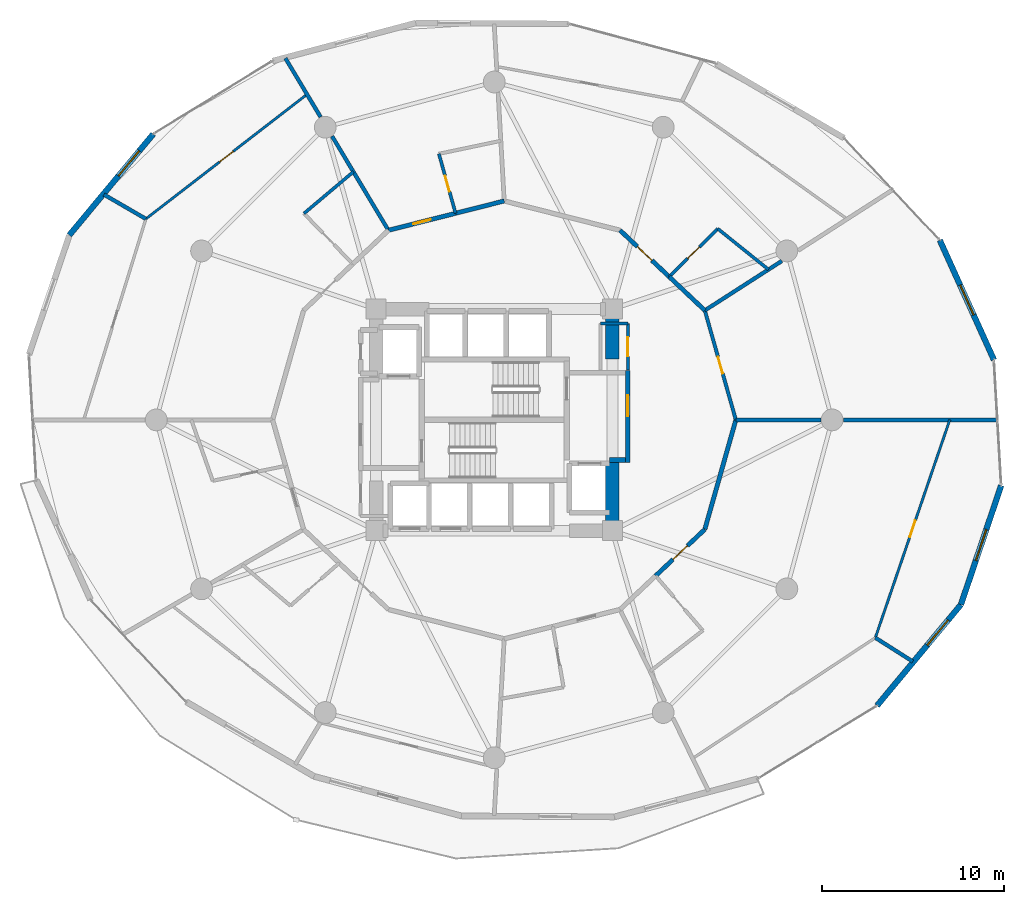
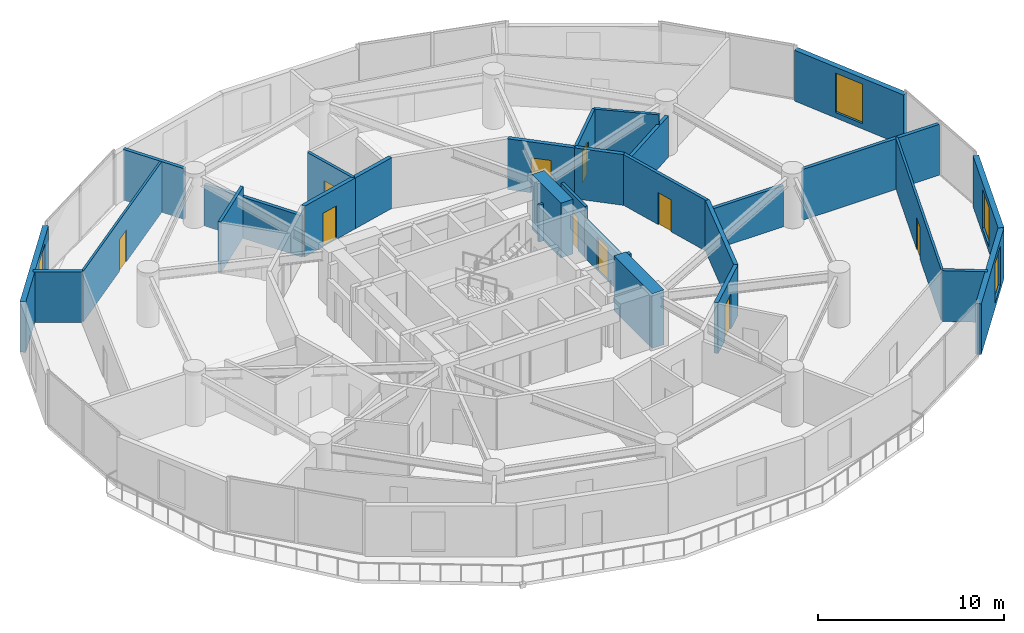
# One storey, part 19 of 23: 30 walls, 10 doors, 4 windows, 14 openings.
"""IFC4 building model written with IfcOpenShell, lengths in metres."""

import ifcopenshell
import ifcopenshell.guid

model = None  # the IFC model being written
_history = None  # IfcOwnerHistory: only IFC2X3 demands one
_inside = {}  # id of a spatial element -> (the spatial element, [elements in it])
_under = {}  # id of a project, library or spatial element -> (it, [spatial elements below it])
_declared = {}  # id of a project -> (the project, [libraries it declares])
_typed = {}  # id of a type object -> (the type object, [elements of that type])
_made_of = {}  # id of a material, layer set ... -> (it, [elements and type objects made of it])


def new_model(schema):
    """Start an empty IFC model of exactly this schema.

    Asked for "IFC4X3", IfcOpenShell would pick the latest addendum, in which some entities
    have other attributes; the version numbers below select the first issue.
    IFC2X3 requires an IfcOwnerHistory on every rooted entity: one is made here for all.
    """
    global model, _history
    if schema == "IFC4X3":
        model = ifcopenshell.file(schema_version=(4, 3, 0, 0))
    else:
        model = ifcopenshell.file(schema=schema)
    _inside.clear()
    _under.clear()
    _declared.clear()
    _typed.clear()
    _made_of.clear()
    _history = None
    if model.schema == "IFC2X3":
        org = make("IfcOrganization", Name="unknown")
        user = make(
            "IfcPersonAndOrganization",
            ThePerson=make("IfcPerson", FamilyName="unknown"),
            TheOrganization=org,
        )
        app = make(
            "IfcApplication",
            ApplicationDeveloper=org,
            Version="unknown",
            ApplicationFullName="unknown",
            ApplicationIdentifier="unknown",
        )
        _history = make(
            "IfcOwnerHistory",
            OwningUser=user,
            OwningApplication=app,
            ChangeAction="ADDED",
            CreationDate=0,
        )
    return model


def make(cls, **values):
    """One entity of the class cls with the attributes given. An attribute that is None is left unset."""
    return model.create_entity(
        cls, **{name: value for name, value in values.items() if value is not None}
    )


def rooted(cls, **values):
    """An entity with a GlobalId (a new one), such as an element, a storey or a relation."""
    return make(cls, GlobalId=ifcopenshell.guid.new(), OwnerHistory=_history, **values)


def si_unit(unit_type, name, prefix=None):
    """IfcSIUnit, for example si_unit("LENGTHUNIT", "METRE", prefix="MILLI")."""
    return make("IfcSIUnit", UnitType=unit_type, Prefix=prefix, Name=name)


def assignment(units):
    """IfcUnitAssignment: the units of a project."""
    return None if units is None else make("IfcUnitAssignment", Units=units)


def point(xyz):
    """IfcCartesianPoint."""
    return None if xyz is None else make("IfcCartesianPoint", Coordinates=xyz)


def direction(xyz):
    """IfcDirection."""
    return None if xyz is None else make("IfcDirection", DirectionRatios=xyz)


def frame(location, z_axis=None, x_axis=None):
    """IfcAxis2Placement3D, a coordinate frame: its origin and axes. An axis left out is left unset."""
    return make(
        "IfcAxis2Placement3D",
        Location=point(location),
        Axis=direction(z_axis),
        RefDirection=direction(x_axis),
    )


def frame_2d(location, x_axis=None):
    """IfcAxis2Placement2D, a coordinate frame in the plane: its origin and x axis."""
    return make(
        "IfcAxis2Placement2D", Location=point(location), RefDirection=direction(x_axis)
    )


def origin():
    """The frame at (0, 0, 0) with its axes left unset."""
    return frame((0.0, 0.0, 0.0))


def place(relative_to, where):
    """IfcLocalPlacement: puts the frame where relative to a parent placement (None: the world)."""
    return make(
        "IfcLocalPlacement", PlacementRelTo=relative_to, RelativePlacement=where
    )


def context(
    kind, dimensions, precision=None, world=None, true_north=None, identifier=None
):
    """IfcGeometricRepresentationContext, for example the 3D "Model" context."""
    return make(
        "IfcGeometricRepresentationContext",
        ContextIdentifier=identifier,
        ContextType=kind,
        CoordinateSpaceDimension=dimensions,
        Precision=precision,
        WorldCoordinateSystem=world,
        TrueNorth=true_north,
    )


def subcontext(parent, identifier, kind, view, scale=None):
    """IfcGeometricRepresentationSubContext, for example "Body" below "Model"."""
    return make(
        "IfcGeometricRepresentationSubContext",
        ContextIdentifier=identifier,
        ContextType=kind,
        ParentContext=parent,
        TargetScale=scale,
        TargetView=view,
    )


def project(units=None, contexts=None):
    """IfcProject with its units and contexts."""
    return rooted(
        "IfcProject",
        Name="project",
        RepresentationContexts=contexts,
        UnitsInContext=assignment(units),
    )


def spatial(cls, under=None, at=None, **own):
    """A site, building, storey or space (cls), placed at a placement, below another one or the project."""
    s = rooted(cls, ObjectPlacement=at, **own)
    if under is not None:
        _under.setdefault(under.id(), (under, []))[1].append(s)
    return s


def profile(cls, at=None, kind="AREA", **sizes):
    """A parametric profile (cls). Its sizes go by their IFC names, for example OverallWidth=200.0."""
    return make(cls, ProfileType=kind, Position=at, **sizes)


def rectangle(**sizes):
    """IfcRectangleProfileDef."""
    return profile("IfcRectangleProfileDef", **sizes)


def extrude(swept, where, along, depth):
    """IfcExtrudedAreaSolid: the profile swept, set in the frame where, extruded along a direction by depth."""
    return make(
        "IfcExtrudedAreaSolid",
        SweptArea=swept,
        Position=where,
        ExtrudedDirection=direction(along),
        Depth=depth,
    )


def shape(context_of_items, identifier, shape_type, items):
    """IfcShapeRepresentation: the items that make up one representation, for example the "Body"."""
    return make(
        "IfcShapeRepresentation",
        ContextOfItems=context_of_items,
        RepresentationIdentifier=identifier,
        RepresentationType=shape_type,
        Items=items,
    )


def material(Name=None, Category=None):
    """IfcMaterial."""
    return make("IfcMaterial", Name=Name, Category=Category)


def layer(
    of_material, thickness, ventilated=None, Name=None, Category=None, Priority=None
):
    """IfcMaterialLayer: one layer of a wall or slab, of a material (None: an air gap)."""
    return make(
        "IfcMaterialLayer",
        Material=of_material,
        LayerThickness=thickness,
        IsVentilated=ventilated,
        Name=Name,
        Category=Category,
        Priority=Priority,
    )


def layer_set(layers, Name=None):
    """IfcMaterialLayerSet."""
    return make("IfcMaterialLayerSet", MaterialLayers=layers, LayerSetName=Name)


def made_of(thing, what):
    """Note that an element or type object is made of a material, layer set ...; save() writes the relation."""
    if what is not None:
        _made_of.setdefault(what.id(), (what, []))[1].append(thing)
    return thing


def type_object(cls, material=None, **own):
    """A type object (cls), such as IfcWallType, which elements share."""
    return made_of(rooted(cls, **own), material)


def element(
    cls,
    number,
    at=None,
    inside=None,
    cuts=None,
    type_object=None,
    material=None,
    context=None,
    identifier="Body",
    shape_type=None,
    held_by="IfcProductDefinitionShape",
    body=None,
    shapes=None,
    **own,
):
    """One element of the class cls, such as IfcWall. Its Tag is "e" and its number.

    at: its placement. inside: the storey or other place that contains it. cuts: it is an
    opening in that element (IfcRelVoidsElement). A single representation is given by context,
    identifier, shape_type and body (its items); several are given by shapes. held_by: the class
    of the entity that holds the representations. save() writes the other relations.
    """
    e = rooted(cls, Tag="e%d" % number, ObjectPlacement=at, **own)
    if body is not None:
        shapes = [shape(context, identifier, shape_type, body)]
    if shapes is not None:
        e.Representation = make(held_by, Representations=shapes)
    if inside is not None:
        _inside.setdefault(inside.id(), (inside, []))[1].append(e)
    if cuts is not None:
        rooted(
            "IfcRelVoidsElement", RelatingBuildingElement=cuts, RelatedOpeningElement=e
        )
    if type_object is not None:
        _typed.setdefault(type_object.id(), (type_object, []))[1].append(e)
    return made_of(e, material)


def fill(opening, filler):
    """IfcRelFillsElement: the door or window that sits in an opening."""
    return rooted(
        "IfcRelFillsElement",
        RelatingOpeningElement=opening,
        RelatedBuildingElement=filler,
    )


def aggregate(whole, parts):
    """IfcRelAggregates: a whole, such as a stair, and the parts it consists of."""
    return rooted("IfcRelAggregates", RelatingObject=whole, RelatedObjects=parts)


def save(model, path):
    """Write the relations noted so far, then the file.

    IfcRelAggregates (storeys below a building ...), IfcRelContainedInSpatialStructure (elements
    in a storey), IfcRelDefinesByType, IfcRelAssociatesMaterial and IfcRelDeclares: one each for
    every whole, place, type object, material and project.
    """
    for whole, parts in _under.values():
        aggregate(whole, parts)
    for where, things in _inside.values():
        rooted(
            "IfcRelContainedInSpatialStructure",
            RelatedElements=things,
            RelatingStructure=where,
        )
    for kind, things in _typed.values():
        rooted("IfcRelDefinesByType", RelatedObjects=things, RelatingType=kind)
    for what, things in _made_of.values():
        rooted("IfcRelAssociatesMaterial", RelatedObjects=things, RelatingMaterial=what)
    for by, libraries in _declared.values():
        rooted("IfcRelDeclares", RelatingContext=by, RelatedDefinitions=libraries)
    model.write(path)


model = new_model("IFC4")

# Units and contexts
model_context = context("Model", 3, precision=1e-05, world=origin(), true_north=direction((0.0, 1.0)))
body_context = subcontext(model_context, "Body", "Model", "MODEL_VIEW")
ifc_project = project(units=[si_unit("LENGTHUNIT", "METRE"), si_unit("AREAUNIT", "SQUARE_METRE"), si_unit("VOLUMEUNIT", "CUBIC_METRE"), si_unit("PLANEANGLEUNIT", "RADIAN"), si_unit("MASSUNIT", "GRAM", prefix="KILO")], contexts=[model_context])

# Site, building, storey
site_placement = place(None, origin())
site = spatial("IfcSite", under=ifc_project, at=site_placement, CompositionType="ELEMENT")
building_placement = place(site_placement, origin())
building = spatial("IfcBuilding", under=site, at=building_placement, Name="Solvirekh Grand Hotel", CompositionType="ELEMENT")
storey_placement = place(building_placement, frame((0.0, 0.0, 39.199951171875)))
storey = spatial("IfcBuildingStorey", under=building, at=storey_placement, Name="L08", CompositionType="ELEMENT", Elevation=39.199951171875)

# Walls
ifc_material_1 = material(Name="Concrete C60/75", Category="concrete")
ifc_layer_1 = layer(ifc_material_1, 0.75)
ifc_layer_set_1 = layer_set([ifc_layer_1], Name="Concrete C60/75")
wall_type_1 = type_object("IfcWallType", Name="CoreWall_RC750", PredefinedType="SHEAR", material=ifc_layer_set_1)
wall_1_placement = place(storey_placement, frame((6.5, -6.47509765625, 0.0), z_axis=(0.0, 0.0, 1.0), x_axis=(0.0, 1.0, 0.0)))
element("IfcWall", 1, at=wall_1_placement, inside=storey, type_object=wall_type_1, Name="L08 core corner shear wall ES-E", PredefinedType="SHEAR", context=body_context, shape_type="SweptSolid", body=[
    extrude(rectangle(XDim=4.125, YDim=0.75, at=frame_2d((2.0625, 0.0))), origin(), (0.0, 0.0, 1.0), 3.60009765625),
])
wall_2_placement = place(storey_placement, frame((6.5, 3.35009765625, 0.0), z_axis=(0.0, 0.0, 1.0), x_axis=(0.0, 1.0, 0.0)))
element("IfcWall", 2, at=wall_2_placement, inside=storey, type_object=wall_type_1, Name="L08 core corner shear wall EN-E", PredefinedType="SHEAR", context=body_context, shape_type="SweptSolid", body=[
    extrude(rectangle(XDim=3.125, YDim=0.75, at=frame_2d((1.5625, 0.0))), origin(), (0.0, 0.0, 1.0), 3.60009765625),
])

# Wall, opening, window
ifc_material_2 = material(Name="Precast concrete C45/55", Category="concrete")
ifc_layer_2 = layer(ifc_material_2, 0.320068359375)
ifc_layer_set_2 = layer_set([ifc_layer_2], Name="Precast concrete C45/55")
wall_type_2 = type_object("IfcWallType", Name="ExtLobbyWall_RC320", PredefinedType="SOLIDWALL", material=ifc_layer_set_2)
wall_3_placement = place(storey_placement, frame((24.52587890625, 9.89599609375, 0.0), z_axis=(0.0, 0.0, 1.0), x_axis=(0.412164534208, -0.911109431814, 0.0)))
wall_3 = element("IfcWall", 3, at=wall_3_placement, inside=storey, type_object=wall_type_2, Name="L08 exterior structural wall chord 2", PredefinedType="SOLIDWALL", context=body_context, shape_type="SweptSolid", body=[
    extrude(rectangle(XDim=7.233154296875, YDim=0.320068359375, at=frame_2d((3.61669921875, 0.0))), origin(), (0.0, 0.0, 1.0), 3.340087890625),
])
opening_1_placement = place(wall_3_placement, frame((2.716064453125, 0.0, 0.35009765625)))
opening_1 = element("IfcOpeningElement", 4, at=opening_1_placement, cuts=wall_3, Name="Opening W02", PredefinedType="OPENING", context=body_context, shape_type="SweptSolid", body=[
    extrude(rectangle(XDim=1.800048828125, YDim=2.60009765625, at=frame_2d((0.89990234375, 1.300048828125))), frame((0.0, 0.169921875, 0.0), z_axis=(0.0, -1.0, 0.0), x_axis=(1.0, 0.0, 0.0)), (0.0, 0.0, 1.0), 0.340087890625),
])
ifc_material_3 = material(Name="Low-E Tinted Bronze Laminated Glass", Category="aluminium")
window_type = type_object("IfcWindowType", Name="Win_LobbyExt_1800X2600", PartitioningType="SINGLE_PANEL", PredefinedType="WINDOW", material=ifc_material_3)
window_1_placement = place(opening_1_placement, origin())
window_1 = element("IfcWindow", 5, at=window_1_placement, inside=storey, type_object=window_type, Name="L08 panoramic bronze-framed window 2", OverallHeight=2.60009765625, OverallWidth=1.800048828125, PartitioningType="SINGLE_PANEL", PredefinedType="WINDOW", context=body_context, shape_type="SweptSolid", body=[
    extrude(rectangle(XDim=1.800048828125, YDim=2.60009765625, at=frame_2d((0.89990234375, 1.300048828125))), frame((0.0, 0.030029296875, 0.0), z_axis=(0.0, -1.0, 0.0), x_axis=(1.0, 0.0, 0.0)), (0.0, 0.0, 1.0), 0.06005859375),
])
fill(opening_1, window_1)

wall_4_placement = place(storey_placement, frame((-23.389892578125, 10.1689453125, 0.0), z_axis=(0.0, 0.0, 1.0), x_axis=(0.638828887918, 0.769348849327, 0.0)))
wall_4 = element("IfcWall", 6, at=wall_4_placement, inside=storey, type_object=wall_type_2, Name="L08 exterior structural wall chord 9", PredefinedType="SOLIDWALL", context=body_context, shape_type="SweptSolid", body=[
    extrude(rectangle(XDim=7.2333984375, YDim=0.320068359375, at=frame_2d((3.61669921875, 0.0))), origin(), (0.0, 0.0, 1.0), 3.340087890625),
])
opening_2_placement = place(wall_4_placement, frame((4.235107421875, 0.0, 0.35009765625)))
opening_2 = element("IfcOpeningElement", 7, at=opening_2_placement, cuts=wall_4, Name="Opening W02", PredefinedType="OPENING", context=body_context, shape_type="SweptSolid", body=[
    extrude(rectangle(XDim=1.800048828125, YDim=2.60009765625, at=frame_2d((0.89990234375, 1.300048828125))), frame((0.0, 0.169921875, 0.0), z_axis=(0.0, -1.0, 0.0), x_axis=(1.0, 0.0, 0.0)), (0.0, 0.0, 1.0), 0.340087890625),
])
window_2_placement = place(opening_2_placement, origin())
window_2 = element("IfcWindow", 8, at=window_2_placement, inside=storey, type_object=window_type, Name="L08 panoramic bronze-framed window 9", OverallHeight=2.60009765625, OverallWidth=1.800048828125, PartitioningType="SINGLE_PANEL", PredefinedType="WINDOW", context=body_context, shape_type="SweptSolid", body=[
    extrude(rectangle(XDim=1.800048828125, YDim=2.60009765625, at=frame_2d((0.89990234375, 1.300048828125))), frame((0.0, 0.030029296875, 0.0), z_axis=(0.0, -1.0, 0.0), x_axis=(1.0, 0.0, 0.0)), (0.0, 0.0, 1.0), 0.06005859375),
])
fill(opening_2, window_2)

wall_5_placement = place(storey_placement, frame((25.68994140625, -10.1689453125, 0.0), z_axis=(0.0, 0.0, 1.0), x_axis=(-0.638828887918, -0.769348849327, 0.0)))
wall_5 = element("IfcWall", 9, at=wall_5_placement, inside=storey, type_object=wall_type_2, Name="L08 exterior structural wall chord 19", PredefinedType="SOLIDWALL", context=body_context, shape_type="SweptSolid", body=[
    extrude(rectangle(XDim=7.2333984375, YDim=0.320068359375, at=frame_2d((3.61669921875, 0.0))), origin(), (0.0, 0.0, 1.0), 3.340087890625),
])
opening_3_placement = place(wall_5_placement, frame((1.10205078125, 0.0, 0.35009765625)))
opening_3 = element("IfcOpeningElement", 10, at=opening_3_placement, cuts=wall_5, Name="Opening W02", PredefinedType="OPENING", context=body_context, shape_type="SweptSolid", body=[
    extrude(rectangle(XDim=1.800048828125, YDim=2.60009765625, at=frame_2d((0.89990234375, 1.300048828125))), frame((0.0, 0.169921875, 0.0), z_axis=(0.0, -1.0, 0.0), x_axis=(1.0, 0.0, 0.0)), (0.0, 0.0, 1.0), 0.340087890625),
])
window_3_placement = place(opening_3_placement, origin())
window_3 = element("IfcWindow", 11, at=window_3_placement, inside=storey, type_object=window_type, Name="L08 panoramic bronze-framed window 19", OverallHeight=2.60009765625, OverallWidth=1.800048828125, PartitioningType="SINGLE_PANEL", PredefinedType="WINDOW", context=body_context, shape_type="SweptSolid", body=[
    extrude(rectangle(XDim=1.800048828125, YDim=2.60009765625, at=frame_2d((0.89990234375, 1.300048828125))), frame((0.0, 0.030029296875, 0.0), z_axis=(0.0, -1.0, 0.0), x_axis=(1.0, 0.0, 0.0)), (0.0, 0.0, 1.0), 0.06005859375),
])
fill(opening_3, window_3)

wall_6_placement = place(storey_placement, frame((27.907958984375, -3.60791015625, 0.0), z_axis=(0.0, 0.0, 1.0), x_axis=(-0.320254087544, -0.947331683948, 0.0)))
wall_6 = element("IfcWall", 12, at=wall_6_placement, inside=storey, type_object=wall_type_2, Name="L08 exterior structural wall chord 20", PredefinedType="SOLIDWALL", context=body_context, shape_type="SweptSolid", body=[
    extrude(rectangle(XDim=6.92578125, YDim=0.320068359375, at=frame_2d((3.462890625, 0.0))), origin(), (0.0, 0.0, 1.0), 3.340087890625),
])
opening_4_placement = place(wall_6_placement, frame((2.56298828125, 0.0, 0.35009765625)))
opening_4 = element("IfcOpeningElement", 13, at=opening_4_placement, cuts=wall_6, Name="Opening W02", PredefinedType="OPENING", context=body_context, shape_type="SweptSolid", body=[
    extrude(rectangle(XDim=1.800048828125, YDim=2.60009765625, at=frame_2d((0.89990234375, 1.300048828125))), frame((0.0, 0.169921875, 0.0), z_axis=(0.0, -1.0, 0.0), x_axis=(1.0, 0.0, 0.0)), (0.0, 0.0, 1.0), 0.340087890625),
])
window_4_placement = place(opening_4_placement, origin())
window_4 = element("IfcWindow", 14, at=window_4_placement, inside=storey, type_object=window_type, Name="L08 panoramic bronze-framed window 20", OverallHeight=2.60009765625, OverallWidth=1.800048828125, PartitioningType="SINGLE_PANEL", PredefinedType="WINDOW", context=body_context, shape_type="SweptSolid", body=[
    extrude(rectangle(XDim=1.800048828125, YDim=2.60009765625, at=frame_2d((0.89990234375, 1.300048828125))), frame((0.0, 0.030029296875, 0.0), z_axis=(0.0, -1.0, 0.0), x_axis=(1.0, 0.0, 0.0)), (0.0, 0.0, 1.0), 0.06005859375),
])
fill(opening_4, window_4)

# Wall, opening, door
ifc_material_4 = material(Name="Acoustic Gypsum Partition Assembly")
ifc_layer_3 = layer(ifc_material_4, 0.1650390625)
ifc_layer_set_3 = layer_set([ifc_layer_3], Name="Acoustic Gypsum Partition Assembly")
wall_type_3 = type_object("IfcWallType", Name="Part_BOH_165", PredefinedType="PARTITIONING", material=ifc_layer_set_3)
wall_7_placement = place(storey_placement, frame((7.35009765625, 2.75, 0.0), z_axis=(0.0, 0.0, 1.0), x_axis=(0.0, 1.0, 0.0)))
wall_7 = element("IfcWall", 15, at=wall_7_placement, inside=storey, type_object=wall_type_3, Name="L08 L08 Telecom Distribution Room wall 2", PredefinedType="PARTITIONING", context=body_context, shape_type="SweptSolid", body=[
    extrude(rectangle(XDim=2.550048828125, YDim=0.1650390625, at=frame_2d((1.27490234375, 0.0))), origin(), (0.0, 0.0, 1.0), 3.340087890625),
])
opening_5_placement = place(wall_7_placement, frame((0.75, 0.0, 0.0)))
opening_5 = element("IfcOpeningElement", 16, at=opening_5_placement, cuts=wall_7, Name="Opening D12", PredefinedType="OPENING", context=body_context, shape_type="SweptSolid", body=[
    extrude(rectangle(XDim=1.050048828125, YDim=2.14990234375, at=frame_2d((0.52490234375, 1.074951171875))), frame((0.0, 0.092529296875, 0.0), z_axis=(0.0, -1.0, 0.0), x_axis=(1.0, 0.0, 0.0)), (0.0, 0.0, 1.0), 0.18505859375),
])
ifc_material_5 = material(Name="Fire-Rated Steel Door Assembly", Category="steel")
door_type_1 = type_object("IfcDoorType", Name="Door_PlantBOH_1050X2150", OperationType="NOTDEFINED", PredefinedType="DOOR", material=ifc_material_5)
door_1_placement = place(opening_5_placement, origin())
door_1 = element("IfcDoor", 17, at=door_1_placement, inside=storey, type_object=door_type_1, Name="L08 L08 Telecom Distribution Room door", OperationType="SINGLE_SWING_RIGHT", OverallHeight=2.14990234375, OverallWidth=1.050048828125, PredefinedType="DOOR", context=body_context, shape_type="SweptSolid", body=[
    extrude(rectangle(XDim=1.050048828125, YDim=2.14990234375, at=frame_2d((0.52490234375, 1.074951171875))), frame((0.0, 0.02490234375, 0.0), z_axis=(0.0, -1.0, 0.0), x_axis=(1.0, 0.0, 0.0)), (0.0, 0.0, 1.0), 0.050048828125),
])
fill(opening_5, door_1)

# Wall
wall_8_placement = place(storey_placement, frame((7.35009765625, 5.300048828125, 0.0), z_axis=(0.0, 0.0, 1.0), x_axis=(-1.0, 0.0, 0.0)))
element("IfcWall", 18, at=wall_8_placement, inside=storey, type_object=wall_type_3, Name="L08 L08 Telecom Distribution Room wall 3", PredefinedType="PARTITIONING", context=body_context, shape_type="SweptSolid", body=[
    extrude(rectangle(XDim=1.5, YDim=0.1650390625, at=frame_2d((0.75, 0.0))), origin(), (0.0, 0.0, 1.0), 2.425048828125),
])

# Wall, opening, door
ifc_layer_4 = layer(ifc_material_4, 0.239990234375)
ifc_layer_set_4 = layer_set([ifc_layer_4], Name="Acoustic Gypsum Partition Assembly")
wall_type_4 = type_object("IfcWallType", Name="Part_Corridor_240", PredefinedType="PARTITIONING", material=ifc_layer_set_4)
wall_9_placement = place(storey_placement, frame((7.35009765625, -2.340087890625, 0.0), z_axis=(0.0, 0.0, 1.0), x_axis=(0.0, 1.0, 0.0)))
wall_9 = element("IfcWall", 19, at=wall_9_placement, inside=storey, type_object=wall_type_4, Name="L08 east firefighting lobby smoke screen wall", PredefinedType="PARTITIONING", context=body_context, shape_type="SweptSolid", body=[
    extrude(rectangle(XDim=5.070068359375, YDim=0.239990234375, at=frame_2d((2.53515625, 0.0))), origin(), (0.0, 0.0, 1.0), 2.425048828125),
])
opening_6_placement = place(wall_9_placement, frame((2.548095703125, 0.0, 0.0)))
opening_6 = element("IfcOpeningElement", 20, at=opening_6_placement, cuts=wall_9, Name="Opening D06", PredefinedType="OPENING", context=body_context, shape_type="SweptSolid", body=[
    extrude(rectangle(XDim=1.14990234375, YDim=2.199951171875, at=frame_2d((0.574951171875, 1.10009765625))), frame((0.0, 0.1298828125, 0.0), z_axis=(0.0, -1.0, 0.0), x_axis=(1.0, 0.0, 0.0)), (0.0, 0.0, 1.0), 0.260009765625),
])
door_type_2 = type_object("IfcDoorType", Name="Door_FFLobby_1150X2200", OperationType="NOTDEFINED", PredefinedType="DOOR", material=ifc_material_5)
door_2_placement = place(opening_6_placement, origin())
door_2 = element("IfcDoor", 21, at=door_2_placement, inside=storey, type_object=door_type_2, Name="L08 east firefighting lobby smoke door", OperationType="SINGLE_SWING_LEFT", OverallHeight=2.199951171875, OverallWidth=1.14990234375, PredefinedType="DOOR", context=body_context, shape_type="SweptSolid", body=[
    extrude(rectangle(XDim=1.14990234375, YDim=2.199951171875, at=frame_2d((0.574951171875, 1.10009765625))), frame((0.0, 0.02490234375, 0.0), z_axis=(0.0, -1.0, 0.0), x_axis=(1.0, 0.0, 0.0)), (0.0, 0.0, 1.0), 0.050048828125),
])
fill(opening_6, door_2)

# Wall
wall_10_placement = place(storey_placement, frame((11.592041015625, 6.02490234375, 0.0), z_axis=(0.0, 0.0, 1.0), x_axis=(-0.726651583854, 0.687006168591, 0.0)))
element("IfcWall", 22, at=wall_10_placement, inside=storey, type_object=wall_type_4, Name="L08 En-suite Bathroom 1001 corridor backing wall", PredefinedType="PARTITIONING", context=body_context, shape_type="SweptSolid", body=[
    extrude(rectangle(XDim=2.697265625, YDim=0.239990234375, at=frame_2d((1.3486328125, 0.0))), origin(), (0.0, 0.0, 1.0), 3.340087890625),
])

# Wall, opening, door
wall_11_placement = place(storey_placement, frame((9.632080078125, 7.8779296875, 0.0), z_axis=(0.0, 0.0, 1.0), x_axis=(-0.726816794063, 0.686831382413, 0.0)))
wall_11 = element("IfcWall", 23, at=wall_11_placement, inside=storey, type_object=wall_type_4, Name="L08 Executive Suite 1001 Living Room entrance wall", PredefinedType="PARTITIONING", context=body_context, shape_type="SweptSolid", body=[
    extrude(rectangle(XDim=3.724609375, YDim=0.239990234375, at=frame_2d((1.8623046875, 0.0))), origin(), (0.0, 0.0, 1.0), 3.340087890625),
])
opening_7_placement = place(wall_11_placement, frame((1.31201171875, 0.0, 0.0)))
opening_7 = element("IfcOpeningElement", 24, at=opening_7_placement, cuts=wall_11, Name="Opening D08", PredefinedType="OPENING", context=body_context, shape_type="SweptSolid", body=[
    extrude(rectangle(XDim=1.10009765625, YDim=2.300048828125, at=frame_2d((0.550048828125, 1.14990234375))), frame((0.0, 0.1298828125, 0.0), z_axis=(0.0, -1.0, 0.0), x_axis=(1.0, 0.0, 0.0)), (0.0, 0.0, 1.0), 0.260009765625),
])
door_type_3 = type_object("IfcDoorType", Name="Door_SuiteEntry_1100X2300", OperationType="NOTDEFINED", PredefinedType="DOOR", material=ifc_material_5)
door_3_placement = place(opening_7_placement, origin())
door_3 = element("IfcDoor", 25, at=door_3_placement, inside=storey, type_object=door_type_3, Name="L08 Executive Suite 1001 Living Room entrance door", OperationType="SINGLE_SWING_RIGHT", OverallHeight=2.300048828125, OverallWidth=1.10009765625, PredefinedType="DOOR", context=body_context, shape_type="SweptSolid", body=[
    extrude(rectangle(XDim=1.10009765625, YDim=2.300048828125, at=frame_2d((0.550048828125, 1.14990234375))), frame((0.0, 0.02490234375, 0.0), z_axis=(0.0, -1.0, 0.0), x_axis=(1.0, 0.0, 0.0)), (0.0, 0.0, 1.0), 0.050048828125),
])
fill(opening_7, door_3)

# Wall
wall_12_placement = place(storey_placement, frame((0.550048828125, 12.050048828125, 0.0), z_axis=(0.0, 0.0, 1.0), x_axis=(-0.969394271919, -0.245509155779, 0.0)))
element("IfcWall", 26, at=wall_12_placement, inside=storey, type_object=wall_type_4, Name="L08 En-suite Bathroom 1002 corridor backing wall", PredefinedType="PARTITIONING", context=body_context, shape_type="SweptSolid", body=[
    extrude(rectangle(XDim=2.761474609375, YDim=0.239990234375, at=frame_2d((1.380859375, 0.0))), origin(), (0.0, 0.0, 1.0), 3.340087890625),
])

# Wall, opening, door
wall_13_placement = place(storey_placement, frame((-2.126953125, 11.3720703125, 0.0), z_axis=(0.0, 0.0, 1.0), x_axis=(-0.969426781934, -0.245380754072, 0.0)))
wall_13 = element("IfcWall", 27, at=wall_13_placement, inside=storey, type_object=wall_type_4, Name="L08 Deluxe Guestroom 1002 entrance wall", PredefinedType="PARTITIONING", context=body_context, shape_type="SweptSolid", body=[
    extrude(rectangle(XDim=3.814697265625, YDim=0.239990234375, at=frame_2d((1.9072265625, 0.0))), origin(), (0.0, 0.0, 1.0), 3.340087890625),
])
opening_8_placement = place(wall_13_placement, frame((1.406982421875, 0.0, 0.0)))
opening_8 = element("IfcOpeningElement", 28, at=opening_8_placement, cuts=wall_13, Name="Opening D07", PredefinedType="OPENING", context=body_context, shape_type="SweptSolid", body=[
    extrude(rectangle(XDim=1.0, YDim=2.199951171875, at=frame_2d((0.5, 1.10009765625))), frame((0.0, 0.1298828125, 0.0), z_axis=(0.0, -1.0, 0.0), x_axis=(1.0, 0.0, 0.0)), (0.0, 0.0, 1.0), 0.260009765625),
])
door_type_4 = type_object("IfcDoorType", Name="Door_GuestEntry_1000X2200", OperationType="NOTDEFINED", PredefinedType="DOOR", material=ifc_material_5)
door_4_placement = place(opening_8_placement, origin())
door_4 = element("IfcDoor", 29, at=door_4_placement, inside=storey, type_object=door_type_4, Name="L08 Deluxe Guestroom 1002 entrance door", OperationType="SINGLE_SWING_RIGHT", OverallHeight=2.199951171875, OverallWidth=1.0, PredefinedType="DOOR", context=body_context, shape_type="SweptSolid", body=[
    extrude(rectangle(XDim=1.0, YDim=2.199951171875, at=frame_2d((0.5, 1.10009765625))), frame((0.0, 0.02490234375, 0.0), z_axis=(0.0, -1.0, 0.0), x_axis=(1.0, 0.0, 0.0)), (0.0, 0.0, 1.0), 0.050048828125),
])
fill(opening_8, door_4)

# Wall
wall_14_placement = place(storey_placement, frame((11.592041015625, -6.02490234375, 0.0), z_axis=(0.0, 0.0, 1.0), x_axis=(0.272743314702, 0.962086838225, 0.0)))
element("IfcWall", 30, at=wall_14_placement, inside=storey, type_object=wall_type_4, Name="L08 Executive Suite 1007 Living Room corridor wall 1", PredefinedType="PARTITIONING", context=body_context, shape_type="SweptSolid", body=[
    extrude(rectangle(XDim=6.26220703125, YDim=0.239990234375, at=frame_2d((3.131103515625, 0.0))), origin(), (0.0, 0.0, 1.0), 3.340087890625),
])

# Wall, opening, door
wall_15_placement = place(storey_placement, frame((8.885009765625, -8.5830078125, 0.0), z_axis=(0.0, 0.0, 1.0), x_axis=(0.726816794063, 0.686831382413, 0.0)))
wall_15 = element("IfcWall", 31, at=wall_15_placement, inside=storey, type_object=wall_type_4, Name="L08 Executive Suite 1007 Living Room entrance wall", PredefinedType="PARTITIONING", context=body_context, shape_type="SweptSolid", body=[
    extrude(rectangle(XDim=3.724609375, YDim=0.239990234375, at=frame_2d((1.8623046875, 0.0))), origin(), (0.0, 0.0, 1.0), 3.340087890625),
])
opening_9_placement = place(wall_15_placement, frame((1.31201171875, 0.0, 0.0)))
opening_9 = element("IfcOpeningElement", 32, at=opening_9_placement, cuts=wall_15, Name="Opening D08", PredefinedType="OPENING", context=body_context, shape_type="SweptSolid", body=[
    extrude(rectangle(XDim=1.10009765625, YDim=2.300048828125, at=frame_2d((0.550048828125, 1.14990234375))), frame((0.0, 0.1298828125, 0.0), z_axis=(0.0, -1.0, 0.0), x_axis=(1.0, 0.0, 0.0)), (0.0, 0.0, 1.0), 0.260009765625),
])
door_5_placement = place(opening_9_placement, origin())
door_5 = element("IfcDoor", 33, at=door_5_placement, inside=storey, type_object=door_type_3, Name="L08 Executive Suite 1007 Living Room entrance door", OperationType="SINGLE_SWING_RIGHT", OverallHeight=2.300048828125, OverallWidth=1.10009765625, PredefinedType="DOOR", context=body_context, shape_type="SweptSolid", body=[
    extrude(rectangle(XDim=1.10009765625, YDim=2.300048828125, at=frame_2d((0.550048828125, 1.14990234375))), frame((0.0, 0.02490234375, 0.0), z_axis=(0.0, -1.0, 0.0), x_axis=(1.0, 0.0, 0.0)), (0.0, 0.0, 1.0), 0.050048828125),
])
fill(opening_9, door_5)

ifc_layer_5 = layer(ifc_material_4, 0.18994140625)
ifc_layer_set_5 = layer_set([ifc_layer_5], Name="Acoustic Gypsum Partition Assembly")
wall_type_5 = type_object("IfcWallType", Name="Part_GuestDemise_190", PredefinedType="PARTITIONING", material=ifc_layer_set_5)
wall_16_placement = place(storey_placement, frame((13.300048828125, 0.0, 0.0), z_axis=(0.0, 0.0, 1.0), x_axis=(-0.272743314702, 0.962086838225, 0.0)))
wall_16 = element("IfcWall", 34, at=wall_16_placement, inside=storey, type_object=wall_type_5, Name="L08 L08 Tea & Samovar Lounge entrance wall", PredefinedType="PARTITIONING", context=body_context, shape_type="SweptSolid", body=[
    extrude(rectangle(XDim=6.26220703125, YDim=0.18994140625, at=frame_2d((3.131103515625, 0.0))), origin(), (0.0, 0.0, 1.0), 3.340087890625),
])
opening_10_placement = place(wall_16_placement, frame((2.656005859375, 0.0, 0.0)))
opening_10 = element("IfcOpeningElement", 35, at=opening_10_placement, cuts=wall_16, Name="Opening D10", PredefinedType="OPENING", context=body_context, shape_type="SweptSolid", body=[
    extrude(rectangle(XDim=0.949951171875, YDim=2.10009765625, at=frame_2d((0.47509765625, 1.050048828125))), frame((0.0, 0.10498046875, 0.0), z_axis=(0.0, -1.0, 0.0), x_axis=(1.0, 0.0, 0.0)), (0.0, 0.0, 1.0), 0.2099609375),
])
ifc_material_6 = material(Name="Anodized Bronze Aluminium 6063-T6", Category="aluminium")
door_type_5 = type_object("IfcDoorType", Name="Door_RoomInt_950X2100", OperationType="NOTDEFINED", PredefinedType="DOOR", material=ifc_material_6)
door_6_placement = place(opening_10_placement, origin())
door_6 = element("IfcDoor", 36, at=door_6_placement, inside=storey, type_object=door_type_5, Name="L08 L08 Tea & Samovar Lounge entrance door", OperationType="SINGLE_SWING_LEFT", OverallHeight=2.10009765625, OverallWidth=0.949951171875, PredefinedType="DOOR", context=body_context, shape_type="SweptSolid", body=[
    extrude(rectangle(XDim=0.949951171875, YDim=2.10009765625, at=frame_2d((0.47509765625, 1.050048828125))), frame((0.0, 0.02490234375, 0.0), z_axis=(0.0, -1.0, 0.0), x_axis=(1.0, 0.0, 0.0)), (0.0, 0.0, 1.0), 0.050048828125),
])
fill(opening_10, door_6)

# Wall
ifc_layer_6 = layer(ifc_material_4, 0.260009765625)
ifc_layer_set_6 = layer_set([ifc_layer_6], Name="Acoustic Gypsum Partition Assembly")
wall_type_6 = type_object("IfcWallType", Name="Part_LobbyFF_260", PredefinedType="PARTITIONING", material=ifc_layer_set_6)
wall_17_placement = place(storey_placement, frame((6.35009765625, -2.2099609375, 0.0), z_axis=(0.0, 0.0, 1.0), x_axis=(1.0, 0.0, 0.0)))
element("IfcWall", 37, at=wall_17_placement, inside=storey, type_object=wall_type_6, Name="L08 east firefighting lobby SE cheek", PredefinedType="PARTITIONING", context=body_context, shape_type="SweptSolid", body=[
    extrude(rectangle(XDim=0.875, YDim=0.260009765625, at=frame_2d((0.4375, 0.0))), origin(), (0.0, 0.0, 1.0), 3.340087890625),
])

# Wall, opening, door
ifc_layer_7 = layer(ifc_material_4, 0.135009765625)
ifc_layer_set_7 = layer_set([ifc_layer_7], Name="Acoustic Gypsum Partition Assembly")
wall_type_7 = type_object("IfcWallType", Name="Part_RoomInt_135", PredefinedType="PARTITIONING", material=ifc_layer_set_7)
wall_18_placement = place(storey_placement, frame((-10.303955078125, 17.91796875, 0.0), z_axis=(0.0, 0.0, 1.0), x_axis=(-0.791325231215, -0.611395435412, 0.0)))
wall_18 = element("IfcWall", 38, at=wall_18_placement, inside=storey, type_object=wall_type_7, Name="L08 Executive Suite 1003 Living Room bedroom screen wall", PredefinedType="PARTITIONING", context=body_context, shape_type="SweptSolid", body=[
    extrude(rectangle(XDim=11.21044921875, YDim=0.135009765625, at=frame_2d((5.605224609375, 0.0))), origin(), (0.0, 0.0, 1.0), 3.340087890625),
])
opening_11_placement = place(wall_18_placement, frame((5.1298828125, 0.0, 0.0)))
opening_11 = element("IfcOpeningElement", 39, at=opening_11_placement, cuts=wall_18, Name="Opening D10", PredefinedType="OPENING", context=body_context, shape_type="SweptSolid", body=[
    extrude(rectangle(XDim=0.949951171875, YDim=2.10009765625, at=frame_2d((0.47509765625, 1.050048828125))), frame((0.0, 0.07763671875, 0.0), z_axis=(0.0, -1.0, 0.0), x_axis=(1.0, 0.0, 0.0)), (0.0, 0.0, 1.0), 0.155029296875),
])
door_7_placement = place(opening_11_placement, origin())
door_7 = element("IfcDoor", 40, at=door_7_placement, inside=storey, type_object=door_type_5, Name="L08 Executive Suite 1003 Living Room master bedroom door", OperationType="SINGLE_SWING_LEFT", OverallHeight=2.10009765625, OverallWidth=0.949951171875, PredefinedType="DOOR", context=body_context, shape_type="SweptSolid", body=[
    extrude(rectangle(XDim=0.949951171875, YDim=2.10009765625, at=frame_2d((0.47509765625, 1.050048828125))), frame((0.0, 0.02490234375, 0.0), z_axis=(0.0, -1.0, 0.0), x_axis=(1.0, 0.0, 0.0)), (0.0, 0.0, 1.0), 0.050048828125),
])
fill(opening_11, door_7)

wall_19_placement = place(storey_placement, frame((20.97802734375, -11.990966796875, 0.0), z_axis=(0.0, 0.0, 1.0), x_axis=(0.323247804531, 0.946314354148, 0.0)))
wall_19 = element("IfcWall", 41, at=wall_19_placement, inside=storey, type_object=wall_type_7, Name="L08 Executive Suite 1007 Panorama Suite Study bedroom screen wall", PredefinedType="PARTITIONING", context=body_context, shape_type="SweptSolid", body=[
    extrude(rectangle(XDim=12.671142578125, YDim=0.135009765625, at=frame_2d((6.33544921875, 0.0))), origin(), (0.0, 0.0, 1.0), 3.340087890625),
])
opening_12_placement = place(wall_19_placement, frame((5.861083984375, 0.0, 0.0)))
opening_12 = element("IfcOpeningElement", 42, at=opening_12_placement, cuts=wall_19, Name="Opening D10", PredefinedType="OPENING", context=body_context, shape_type="SweptSolid", body=[
    extrude(rectangle(XDim=0.949951171875, YDim=2.10009765625, at=frame_2d((0.47509765625, 1.050048828125))), frame((0.0, 0.07763671875, 0.0), z_axis=(0.0, -1.0, 0.0), x_axis=(1.0, 0.0, 0.0)), (0.0, 0.0, 1.0), 0.155029296875),
])
door_8_placement = place(opening_12_placement, origin())
door_8 = element("IfcDoor", 43, at=door_8_placement, inside=storey, type_object=door_type_5, Name="L08 Executive Suite 1007 Panorama Suite Study master bedroom door", OperationType="SINGLE_SWING_RIGHT", OverallHeight=2.10009765625, OverallWidth=0.949951171875, PredefinedType="DOOR", context=body_context, shape_type="SweptSolid", body=[
    extrude(rectangle(XDim=0.949951171875, YDim=2.10009765625, at=frame_2d((0.47509765625, 1.050048828125))), frame((0.0, 0.02490234375, 0.0), z_axis=(0.0, -1.0, 0.0), x_axis=(1.0, 0.0, 0.0)), (0.0, 0.0, 1.0), 0.050048828125),
])
fill(opening_12, door_8)

# Walls
ifc_layer_8 = layer(ifc_material_4, 0.2099609375)
ifc_layer_set_8 = layer_set([ifc_layer_8], Name="Acoustic Gypsum Partition Assembly")
wall_type_8 = type_object("IfcWallType", Name="Part_SuiteDemise_210", PredefinedType="PARTITIONING", material=ifc_layer_set_8)
wall_20_placement = place(storey_placement, frame((13.300048828125, 0.0, 0.0), z_axis=(0.0, 0.0, 1.0), x_axis=(1.0, 0.0, 0.0)))
element("IfcWall", 44, at=wall_20_placement, inside=storey, type_object=wall_type_8, Name="L08 suite radial wall 1 (A)", PredefinedType="PARTITIONING", context=body_context, shape_type="SweptSolid", body=[
    extrude(rectangle(XDim=4.679931640625, YDim=0.2099609375, at=frame_2d((2.33984375, 0.0))), origin(), (0.0, 0.0, 1.0), 2.708984375),
])
wall_21_placement = place(storey_placement, frame((19.219970703125, 0.0, 0.0), z_axis=(0.0, 0.0, 1.0), x_axis=(1.0, 0.0, 0.0)))
element("IfcWall", 45, at=wall_21_placement, inside=storey, type_object=wall_type_8, Name="L08 suite radial wall 1 (B)", PredefinedType="PARTITIONING", context=body_context, shape_type="SweptSolid", body=[
    extrude(rectangle(XDim=8.43896484375, YDim=0.2099609375, at=frame_2d((4.219482421875, 0.0))), origin(), (0.0, 0.0, 1.0), 3.340087890625),
])
wall_22_placement = place(storey_placement, frame((11.592041015625, 6.02490234375, 0.0), z_axis=(0.0, 0.0, 1.0), x_axis=(0.841416256493, 0.540387530675, 0.0)))
element("IfcWall", 46, at=wall_22_placement, inside=storey, type_object=wall_type_8, Name="L08 suite radial wall 2 (A)", PredefinedType="PARTITIONING", context=body_context, shape_type="SweptSolid", body=[
    extrude(rectangle(XDim=5.03564453125, YDim=0.2099609375, at=frame_2d((2.517822265625, 0.0))), origin(), (0.0, 0.0, 1.0), 2.708984375),
])
wall_23_placement = place(storey_placement, frame((-5.824951171875, 10.43603515625, 0.0), z_axis=(0.0, 0.0, 1.0), x_axis=(-0.51360919271, 0.858024240429, 0.0)))
element("IfcWall", 47, at=wall_23_placement, inside=storey, type_object=wall_type_8, Name="L08 suite radial wall 5 (A)", PredefinedType="PARTITIONING", context=body_context, shape_type="SweptSolid", body=[
    extrude(rectangle(XDim=6.035888671875, YDim=0.2099609375, at=frame_2d((3.01806640625, 0.0))), origin(), (0.0, 0.0, 1.0), 2.708984375),
])
wall_24_placement = place(storey_placement, frame((-9.55810546875, 16.672119140625, 0.0), z_axis=(0.0, 0.0, 1.0), x_axis=(-0.513495408949, 0.858092340595, 0.0)))
element("IfcWall", 48, at=wall_24_placement, inside=storey, type_object=wall_type_8, Name="L08 suite radial wall 5 (B)", PredefinedType="PARTITIONING", context=body_context, shape_type="SweptSolid", body=[
    extrude(rectangle(XDim=3.769775390625, YDim=0.2099609375, at=frame_2d((1.884765625, 0.0))), origin(), (0.0, 0.0, 1.0), 3.340087890625),
])
wall_25_placement = place(storey_placement, frame((-19.175048828125, 11.06396484375, 0.0), z_axis=(0.0, 0.0, 1.0), x_axis=(-0.864941429029, 0.501872816907, 0.0)))
element("IfcWall", 49, at=wall_25_placement, inside=storey, type_object=wall_type_8, Name="L08 Executive Suite 1003 Living Room dividing partition 1", PredefinedType="PARTITIONING", context=body_context, shape_type="SweptSolid", body=[
    extrude(rectangle(XDim=2.668212890625, YDim=0.2099609375, at=frame_2d((1.333984375, 0.0))), origin(), (0.0, 0.0, 1.0), 3.340087890625),
])
wall_26_placement = place(storey_placement, frame((20.97802734375, -11.990966796875, 0.0), z_axis=(0.0, 0.0, 1.0), x_axis=(0.843826159016, -0.536616635374, 0.0)))
element("IfcWall", 50, at=wall_26_placement, inside=storey, type_object=wall_type_8, Name="L08 Executive Suite 1007 Living Room dividing partition 1", PredefinedType="PARTITIONING", context=body_context, shape_type="SweptSolid", body=[
    extrude(rectangle(XDim=2.44140625, YDim=0.2099609375, at=frame_2d((1.220703125, 0.0))), origin(), (0.0, 0.0, 1.0), 3.340087890625),
])
ifc_layer_9 = layer(ifc_material_4, 0.175048828125)
ifc_layer_set_9 = layer_set([ifc_layer_9], Name="Acoustic Gypsum Partition Assembly")
wall_type_9 = type_object("IfcWallType", Name="Plumb_Ensuite_175", PredefinedType="PLUMBINGWALL", material=ifc_layer_set_9)
wall_27_placement = place(storey_placement, frame((15.095947265625, 8.27490234375, 0.0), z_axis=(0.0, 0.0, 1.0), x_axis=(-0.779109173808, 0.626888263799, 0.0)))
element("IfcWall", 51, at=wall_27_placement, inside=storey, type_object=wall_type_9, Name="L08 En-suite Bathroom 1001 outer plumbing wall", PredefinedType="PLUMBINGWALL", context=body_context, shape_type="SweptSolid", body=[
    extrude(rectangle(XDim=3.579833984375, YDim=0.175048828125, at=frame_2d((1.7900390625, 0.0))), origin(), (0.0, 0.0, 1.0), 3.340087890625),
])

# Wall, opening, door
wall_28_placement = place(storey_placement, frame((9.632080078125, 7.8779296875, 0.0), z_axis=(0.0, 0.0, 1.0), x_axis=(0.711574015507, 0.702611144556, 0.0)))
wall_28 = element("IfcWall", 52, at=wall_28_placement, inside=storey, type_object=wall_type_9, Name="L08 En-suite Bathroom 1001 entry plumbing wall", PredefinedType="PLUMBINGWALL", context=body_context, shape_type="SweptSolid", body=[
    extrude(rectangle(XDim=3.759033203125, YDim=0.175048828125, at=frame_2d((1.87939453125, 0.0))), origin(), (0.0, 0.0, 1.0), 3.340087890625),
])
opening_13_placement = place(wall_28_placement, frame((1.429931640625, 0.0, 0.0)))
opening_13 = element("IfcOpeningElement", 53, at=opening_13_placement, cuts=wall_28, Name="Opening D09", PredefinedType="OPENING", context=body_context, shape_type="SweptSolid", body=[
    extrude(rectangle(XDim=0.89990234375, YDim=2.10009765625, at=frame_2d((0.449951171875, 1.050048828125))), frame((0.0, 0.09765625, 0.0), z_axis=(0.0, -1.0, 0.0), x_axis=(1.0, 0.0, 0.0)), (0.0, 0.0, 1.0), 0.195068359375),
])
door_type_6 = type_object("IfcDoorType", Name="Door_Ensuite_900X2100", OperationType="NOTDEFINED", PredefinedType="DOOR", material=ifc_material_6)
door_9_placement = place(opening_13_placement, origin())
door_9 = element("IfcDoor", 54, at=door_9_placement, inside=storey, type_object=door_type_6, Name="L08 En-suite Bathroom 1001 door", OperationType="SINGLE_SWING_LEFT", OverallHeight=2.10009765625, OverallWidth=0.89990234375, PredefinedType="DOOR", context=body_context, shape_type="SweptSolid", body=[
    extrude(rectangle(XDim=0.89990234375, YDim=2.10009765625, at=frame_2d((0.449951171875, 1.050048828125))), frame((0.0, 0.02490234375, 0.0), z_axis=(0.0, -1.0, 0.0), x_axis=(1.0, 0.0, 0.0)), (0.0, 0.0, 1.0), 0.050048828125),
])
fill(opening_13, door_9)

wall_29_placement = place(storey_placement, frame((-2.126953125, 11.3720703125, 0.0), z_axis=(0.0, 0.0, 1.0), x_axis=(-0.270050815193, 0.962846071402, 0.0)))
wall_29 = element("IfcWall", 55, at=wall_29_placement, inside=storey, type_object=wall_type_9, Name="L08 En-suite Bathroom 1002 entry plumbing wall", PredefinedType="PLUMBINGWALL", context=body_context, shape_type="SweptSolid", body=[
    extrude(rectangle(XDim=3.399169921875, YDim=0.175048828125, at=frame_2d((1.69970703125, 0.0))), origin(), (0.0, 0.0, 1.0), 3.340087890625),
])
opening_14_placement = place(wall_29_placement, frame((1.25, 0.0, 0.0)))
opening_14 = element("IfcOpeningElement", 56, at=opening_14_placement, cuts=wall_29, Name="Opening D09", PredefinedType="OPENING", context=body_context, shape_type="SweptSolid", body=[
    extrude(rectangle(XDim=0.89990234375, YDim=2.10009765625, at=frame_2d((0.449951171875, 1.050048828125))), frame((0.0, 0.09765625, 0.0), z_axis=(0.0, -1.0, 0.0), x_axis=(1.0, 0.0, 0.0)), (0.0, 0.0, 1.0), 0.195068359375),
])
door_10_placement = place(opening_14_placement, origin())
door_10 = element("IfcDoor", 57, at=door_10_placement, inside=storey, type_object=door_type_6, Name="L08 En-suite Bathroom 1002 door", OperationType="SINGLE_SWING_LEFT", OverallHeight=2.10009765625, OverallWidth=0.89990234375, PredefinedType="DOOR", context=body_context, shape_type="SweptSolid", body=[
    extrude(rectangle(XDim=0.89990234375, YDim=2.10009765625, at=frame_2d((0.449951171875, 1.050048828125))), frame((0.0, 0.02490234375, 0.0), z_axis=(0.0, -1.0, 0.0), x_axis=(1.0, 0.0, 0.0)), (0.0, 0.0, 1.0), 0.050048828125),
])
fill(opening_14, door_10)

# Wall
wall_30_placement = place(storey_placement, frame((-7.751953125, 13.656005859375, 0.0), z_axis=(0.0, 0.0, 1.0), x_axis=(-0.764298879833, -0.644862173093, 0.0)))
element("IfcWall", 58, at=wall_30_placement, inside=storey, type_object=wall_type_9, Name="L08 En-suite Bathroom 1003 outer plumbing wall", PredefinedType="PLUMBINGWALL", context=body_context, shape_type="SweptSolid", body=[
    extrude(rectangle(XDim=3.558837890625, YDim=0.175048828125, at=frame_2d((1.779296875, 0.0))), origin(), (0.0, 0.0, 1.0), 3.340087890625),
])

save(model, "model.ifc")
